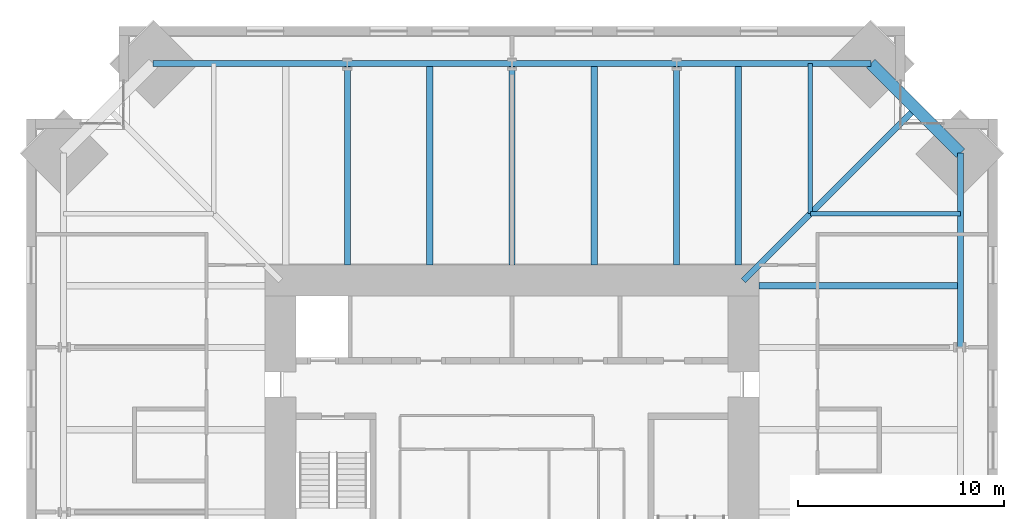
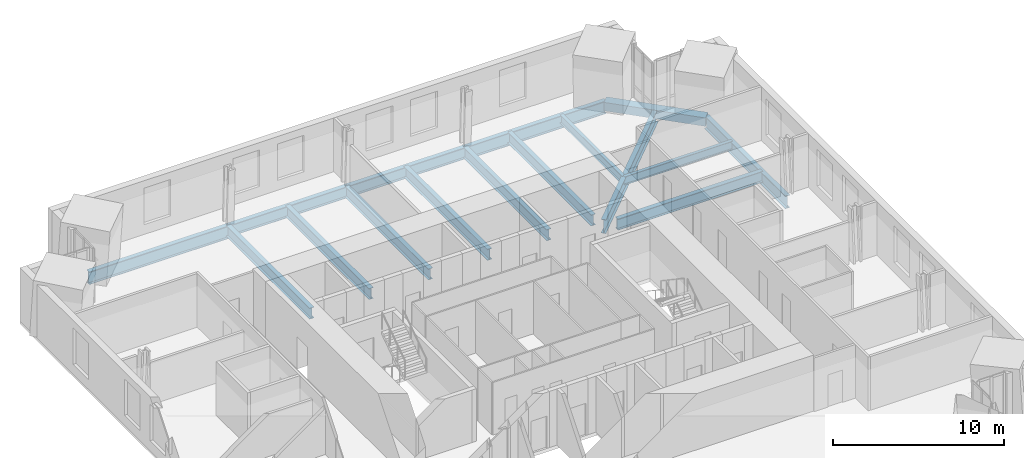
# One storey, part 7 of 15: 16 beams.
"""IFC4 building model written with IfcOpenShell, lengths in metres."""

from ifc_helpers import new_model, si_unit, direction, frame, origin, origin_2d, place, context, subcontext, project, spatial, hollow_rectangle, i_section, extrude, material, material_profile, profile_set, type_object, element, save


model = new_model("IFC4")

# Units and contexts
model_context = context("Model", 3, precision=1e-05, world=origin(), true_north=direction((0.0, 1.0)))
body_context = subcontext(model_context, "Body", "Model", "MODEL_VIEW")
ifc_project = project(units=[si_unit("LENGTHUNIT", "METRE"), si_unit("AREAUNIT", "SQUARE_METRE"), si_unit("VOLUMEUNIT", "CUBIC_METRE"), si_unit("PLANEANGLEUNIT", "RADIAN"), si_unit("MASSUNIT", "GRAM", prefix="KILO")], contexts=[model_context])

# Site, building, storey
site_placement = place(None, origin())
site = spatial("IfcSite", under=ifc_project, at=site_placement, CompositionType="ELEMENT")
building_placement = place(site_placement, origin())
building = spatial("IfcBuilding", under=site, at=building_placement, Name="Peilmerk Tower", CompositionType="ELEMENT")
storey_placement = place(building_placement, frame((0.0, 0.0, 225.800048828125)))
storey = spatial("IfcBuildingStorey", under=building, at=storey_placement, Name="L49", CompositionType="ELEMENT", Elevation=225.800048828125)

# Beams
ifc_material_1 = material(Name="Steel S355", Category="steel")
ifc_material_profile_1 = material_profile(ifc_material_1, i_section(OverallWidth=0.219970703125, OverallDepth=0.60009765625, WebThickness=0.011962890625, FlangeThickness=0.01904296875, at=origin_2d()), Name="IPE 600")
ifc_profile_set_1 = profile_set([ifc_material_profile_1], Name="Steel S355")
beam_type_1 = type_object("IfcBeamType", Name="B10 IPE 600 floor beam", PredefinedType="BEAM", material=ifc_profile_set_1)
for number, where, z_axis, x_axis, name in (
    (1, (14.5, 14.5, -0.469970703125), (0.0, 1.0, 0.0), (-1.0, 0.0, 0.0), "Floor beam L49"),
    (2, (14.5, 14.5, -0.469970703125), (1.0, 0.0, 0.0), (0.0, 1.0, 0.0), "Floor beam L49"),
):
    element("IfcBeam", number, at=place(storey_placement, frame(where, z_axis=z_axis, x_axis=x_axis)), inside=storey, type_object=beam_type_1, Name=name, PredefinedType="BEAM", context=body_context, shape_type="SweptSolid", body=[
        extrude(i_section(OverallWidth=0.219970703125, OverallDepth=0.60009765625, WebThickness=0.011962890625, FlangeThickness=0.01904296875, at=origin_2d()), origin(), (0.0, 0.0, 1.0), 7.2919921875),
    ])
ifc_material_profile_2 = material_profile(ifc_material_1, i_section(OverallWidth=0.300048828125, OverallDepth=0.989990234375, WebThickness=0.0166015625, FlangeThickness=0.031005859375, at=origin_2d()), Name="HEA 1000")
ifc_profile_set_2 = profile_set([ifc_material_profile_2], Name="Steel S355")
beam_type_2 = type_object("IfcBeamType", Name="B14 HEA 1000 floor girder", PredefinedType="BEAM", material=ifc_profile_set_2)
beam_1_placement = place(storey_placement, frame((11.25, 11.25, -0.6650390625), z_axis=(0.707106781187, 0.707106781187, 0.0), x_axis=(-0.707106781187, 0.707106781187, 0.0)))
element("IfcBeam", 3, at=beam_1_placement, inside=storey, type_object=beam_type_2, Name="Corner girder L49", PredefinedType="BEAM", context=body_context, shape_type="SweptSolid", body=[
    extrude(i_section(OverallWidth=0.300048828125, OverallDepth=0.989990234375, WebThickness=0.0166015625, FlangeThickness=0.031005859375, at=origin_2d()), origin(), (0.0, 0.0, 1.0), 11.832763671875),
])
ifc_material_profile_3 = material_profile(ifc_material_1, i_section(OverallWidth=0.302978515625, OverallDepth=0.81396484375, WebThickness=0.02099609375, FlangeThickness=0.0400390625, at=origin_2d()), Name="HEM 800")
ifc_profile_set_3 = profile_set([ifc_material_profile_3], Name="Steel S355")
beam_type_3 = type_object("IfcBeamType", Name="B15 HEM 800 edge beam", PredefinedType="SPANDREL", material=ifc_profile_set_3)
for number, where, z_axis, x_axis, name in (
    (4, (8.0, 21.7919921875, -0.5771484375), (-1.0, 0.0, 0.0), (0.0, -1.0, 0.0), "Edge beam L49"),
    (5, (0.0, 21.7919921875, -0.5771484375), (-1.0, 0.0, 0.0), (0.0, -1.0, 0.0), "Edge beam L49"),
):
    element("IfcBeam", number, at=place(storey_placement, frame(where, z_axis=z_axis, x_axis=x_axis)), inside=storey, type_object=beam_type_3, Name=name, PredefinedType="SPANDREL", context=body_context, shape_type="SweptSolid", body=[
        extrude(i_section(OverallWidth=0.302978515625, OverallDepth=0.81396484375, WebThickness=0.02099609375, FlangeThickness=0.0400390625, at=origin_2d()), origin(), (0.0, 0.0, 1.0), 8.0),
    ])
ifc_material_profile_4 = material_profile(ifc_material_1, i_section(OverallWidth=0.302001953125, OverallDepth=0.909912109375, WebThickness=0.02099609375, FlangeThickness=0.0400390625, at=origin_2d()), Name="HEM 900")
ifc_profile_set_4 = profile_set([ifc_material_profile_4], Name="Steel S355")
beam_type_4 = type_object("IfcBeamType", Name="B2 HEM 900 edge beam", PredefinedType="SPANDREL", material=ifc_profile_set_4)
for number, where, z_axis, x_axis, name in (
    (6, (17.44189453125, 21.7919921875, -0.625), (-1.0, 0.0, 0.0), (0.0, -1.0, 0.0), "Edge beam L49"),
    (7, (-8.0, 21.7919921875, -0.625), (-1.0, 0.0, 0.0), (0.0, -1.0, 0.0), "Edge beam L49"),
    (8, (21.7919921875, 8.0, -0.625), (0.0, 1.0, 0.0), (-1.0, 0.0, 0.0), "Edge beam L49"),
):
    element("IfcBeam", number, at=place(storey_placement, frame(where, z_axis=z_axis, x_axis=x_axis)), inside=storey, type_object=beam_type_4, Name=name, PredefinedType="SPANDREL", context=body_context, shape_type="SweptSolid", body=[
        extrude(i_section(OverallWidth=0.302001953125, OverallDepth=0.909912109375, WebThickness=0.02099609375, FlangeThickness=0.0400390625, at=origin_2d()), origin(), (0.0, 0.0, 1.0), 9.44189453125),
    ])
ifc_material_2 = material(Name="Steel S460", Category="steel")
ifc_material_profile_5 = material_profile(ifc_material_2, hollow_rectangle(XDim=0.60009765625, YDim=0.60009765625, WallThickness=0.06005859375, at=origin_2d()), Name="BOX 600x600x60")
ifc_profile_set_5 = profile_set([ifc_material_profile_5], Name="Steel S460")
beam_type_5 = type_object("IfcBeamType", Name="B20 BOX 600x600x60 notch beam", PredefinedType="SPANDREL", material=ifc_profile_set_5)
beam_2_placement = place(storey_placement, frame((17.44189453125, 21.7919921875, -0.469970703125), z_axis=(0.707106781187, -0.707106781187, 0.0), x_axis=(0.707106781187, 0.707106781187, 0.0)))
element("IfcBeam", 9, at=beam_2_placement, inside=storey, type_object=beam_type_5, Name="Notch beam L49", PredefinedType="SPANDREL", context=body_context, shape_type="SweptSolid", body=[
    extrude(hollow_rectangle(XDim=0.60009765625, YDim=0.60009765625, WallThickness=0.06005859375, at=origin_2d()), origin(), (0.0, 0.0, 1.0), 6.15185546875),
])
ifc_material_profile_6 = material_profile(ifc_material_1, i_section(OverallWidth=0.300048828125, OverallDepth=0.7900390625, WebThickness=0.014892578125, FlangeThickness=0.028076171875, at=origin_2d()), Name="HEA 800")
ifc_profile_set_6 = profile_set([ifc_material_profile_6], Name="Steel S355")
beam_type_6 = type_object("IfcBeamType", Name="B3 HEA 800 floor beam", PredefinedType="BEAM", material=ifc_profile_set_6)
for number, where, z_axis, x_axis, name in (
    (10, (11.0, 12.0, -0.56494140625), (0.0, 1.0, 0.0), (-1.0, 0.0, 0.0), "Floor beam L49"),
    (11, (8.0, 12.0, -0.56494140625), (0.0, 1.0, 0.0), (-1.0, 0.0, 0.0), "Floor beam L49"),
    (12, (4.0, 12.0, -0.56494140625), (0.0, 1.0, 0.0), (-1.0, 0.0, 0.0), "Floor beam L49"),
    (13, (0.0, 12.0, -0.56494140625), (0.0, 1.0, 0.0), (-1.0, 0.0, 0.0), "Floor beam L49"),
    (14, (-4.0, 12.0, -0.56494140625), (0.0, 1.0, 0.0), (-1.0, 0.0, 0.0), "Floor beam L49"),
    (15, (-8.0, 12.0, -0.56494140625), (0.0, 1.0, 0.0), (-1.0, 0.0, 0.0), "Floor beam L49"),
    (16, (12.0, 11.0, -0.56494140625), (1.0, 0.0, 0.0), (0.0, 1.0, 0.0), "Floor beam L49"),
):
    element("IfcBeam", number, at=place(storey_placement, frame(where, z_axis=z_axis, x_axis=x_axis)), inside=storey, type_object=beam_type_6, Name=name, PredefinedType="BEAM", context=body_context, shape_type="SweptSolid", body=[
        extrude(i_section(OverallWidth=0.300048828125, OverallDepth=0.7900390625, WebThickness=0.014892578125, FlangeThickness=0.028076171875, at=origin_2d()), origin(), (0.0, 0.0, 1.0), 9.7919921875),
    ])

save(model, "model.ifc")
